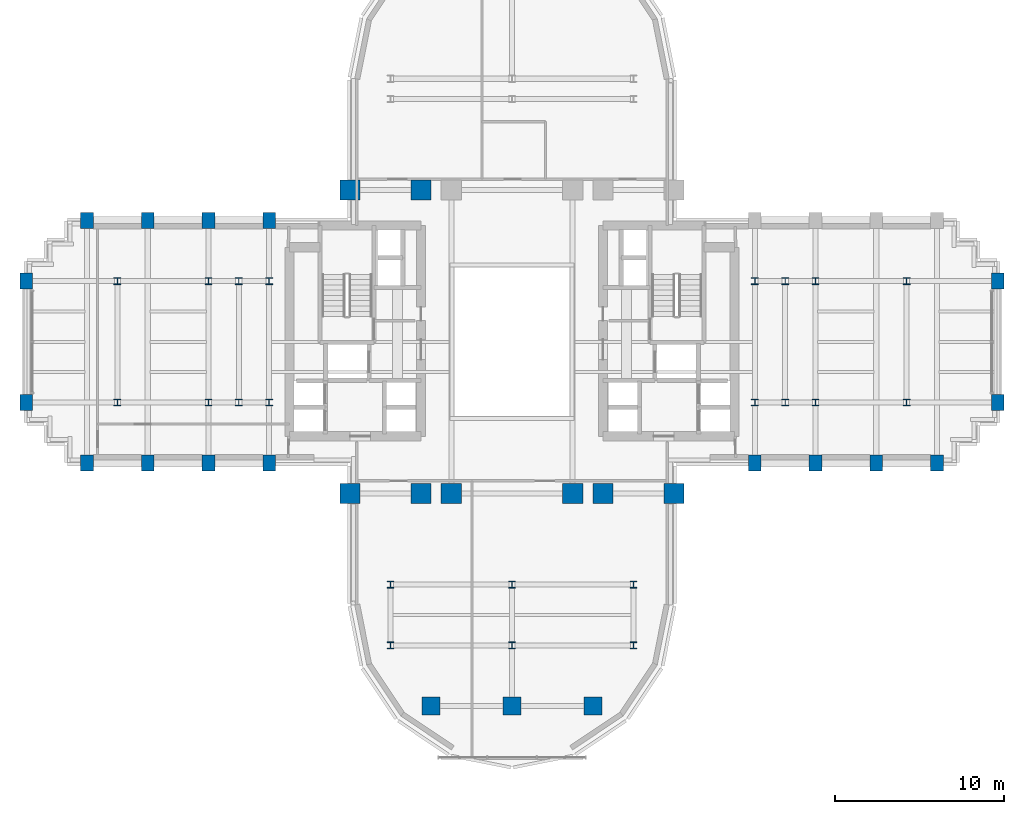
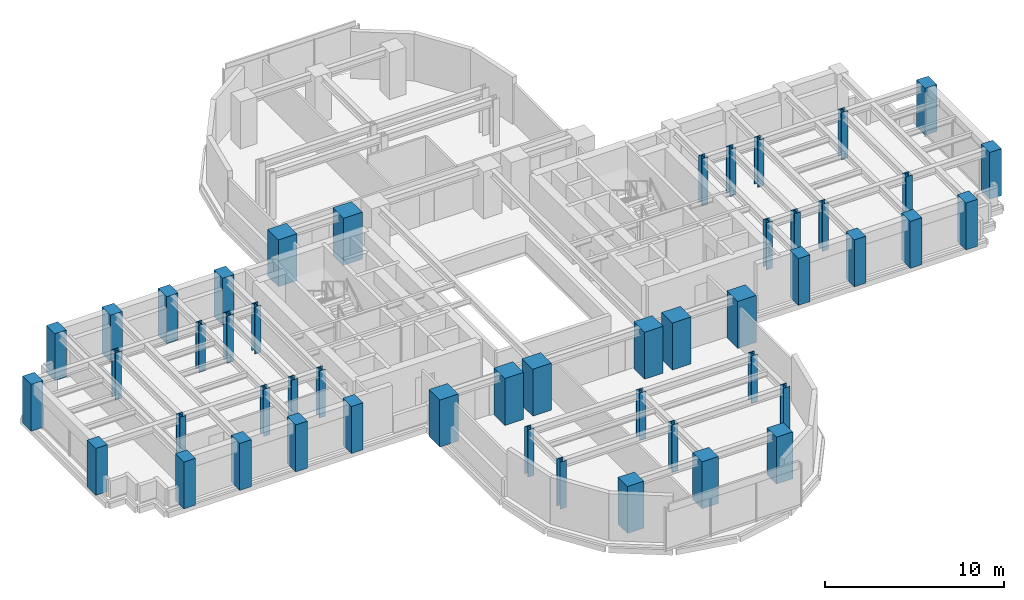
# One storey, part 1 of 16: 49 columns.
"""IFC4 building model written with IfcOpenShell, lengths in metres."""

from ifc_helpers import new_model, si_unit, direction, frame, origin, origin_2d, place, context, subcontext, project, spatial, rectangle, i_section, extrude, source, transform, mapped, material, material_profile, profile_set, type_object, element, save


model = new_model("IFC4")

# Units and contexts
model_context = context("Model", 3, precision=1e-05, world=origin(), true_north=direction((0.0, 1.0)))
body_context = subcontext(model_context, "Body", "Model", "MODEL_VIEW")
ifc_project = project(units=[si_unit("LENGTHUNIT", "METRE"), si_unit("AREAUNIT", "SQUARE_METRE"), si_unit("VOLUMEUNIT", "CUBIC_METRE"), si_unit("PLANEANGLEUNIT", "RADIAN"), si_unit("MASSUNIT", "GRAM", prefix="KILO")], contexts=[model_context])

# Site, building, storey
site_placement = place(None, origin())
site = spatial("IfcSite", under=ifc_project, at=site_placement, CompositionType="ELEMENT")
building_placement = place(site_placement, origin())
building = spatial("IfcBuilding", under=site, at=building_placement, Name="Keilestroom Media Tower", CompositionType="ELEMENT")
storey_placement = place(building_placement, frame((0.0, 0.0, 34.0)))
storey = spatial("IfcBuildingStorey", under=building, at=storey_placement, Name="L07", CompositionType="ELEMENT", Elevation=34.0)

# Columns
ifc_material_1 = material(Name="Precast concrete C40/50", Category="concrete")
ifc_material_profile_1 = material_profile(ifc_material_1, rectangle(XDim=0.75, YDim=0.949951171875, at=origin_2d()), Name="PC 950x750")
ifc_profile_set_1 = profile_set([ifc_material_profile_1], Name="Precast concrete C40/50")
column_type_1 = type_object("IfcColumnType", Name="Structural-Column-PC-950x750", PredefinedType="COLUMN", material=ifc_profile_set_1)
shared_shape_1 = source(origin(), body_context, "Body", "SweptSolid", [
    extrude(rectangle(XDim=0.75, YDim=0.949951171875, at=origin_2d()), origin(), (0.0, 0.0, 1.0), 3.199951171875),
])
for number, where, z_axis, x_axis, name in (
    (1, (-28.800048828125, -3.60009765625, 0.0), (0.0, 0.0, 1.0), (1.0, 0.0, 0.0), "L07 Column PC-1 (-28.8,-3.6)"),
    (2, (-28.800048828125, 3.60009765625, 0.0), (0.0, 0.0, 1.0), (1.0, 0.0, 0.0), "L07 Column PC-1 (-28.8,+3.6)"),
    (3, (-25.199951171875, -7.199951171875, 0.0), (0.0, 0.0, 1.0), (1.0, 0.0, 0.0), "L07 Column PC-1 (-25.2,-7.2)"),
    (4, (-25.199951171875, 7.199951171875, 0.0), (0.0, 0.0, 1.0), (1.0, 0.0, 0.0), "L07 Column PC-1 (-25.2,+7.2)"),
    (5, (-21.60009765625, -7.199951171875, 0.0), (0.0, 0.0, 1.0), (1.0, 0.0, 0.0), "L07 Column PC-1 (-21.6,-7.2)"),
    (6, (-21.60009765625, 7.199951171875, 0.0), (0.0, 0.0, 1.0), (1.0, 0.0, 0.0), "L07 Column PC-1 (-21.6,+7.2)"),
    (7, (-18.0, -7.199951171875, 0.0), (0.0, 0.0, 1.0), (1.0, 0.0, 0.0), "L07 Column PC-1 (-18.0,-7.2)"),
    (8, (-18.0, 7.199951171875, 0.0), (0.0, 0.0, 1.0), (1.0, 0.0, 0.0), "L07 Column PC-1 (-18.0,+7.2)"),
    (9, (-14.39990234375, -7.199951171875, 0.0), (0.0, 0.0, 1.0), (1.0, 0.0, 0.0), "L07 Column PC-1 (-14.4,-7.2)"),
    (10, (-14.39990234375, 7.199951171875, 0.0), (0.0, 0.0, 1.0), (1.0, 0.0, 0.0), "L07 Column PC-1 (-14.4,+7.2)"),
    (11, (14.39990234375, -7.199951171875, 0.0), (0.0, 0.0, 1.0), (1.0, 0.0, 0.0), "L07 Column PC-1 (+14.4,-7.2)"),
    (12, (18.0, -7.199951171875, 0.0), (0.0, 0.0, 1.0), (1.0, 0.0, 0.0), "L07 Column PC-1 (+18.0,-7.2)"),
    (13, (21.60009765625, -7.199951171875, 0.0), (0.0, 0.0, 1.0), (1.0, 0.0, 0.0), "L07 Column PC-1 (+21.6,-7.2)"),
    (14, (25.199951171875, -7.199951171875, 0.0), (0.0, 0.0, 1.0), (1.0, 0.0, 0.0), "L07 Column PC-1 (+25.2,-7.2)"),
    (15, (28.800048828125, -3.60009765625, 0.0), (0.0, 0.0, 1.0), (1.0, 0.0, 0.0), "L07 Column PC-1 (+28.8,-3.6)"),
    (16, (28.800048828125, 3.60009765625, 0.0), (0.0, 0.0, 1.0), (1.0, 0.0, 0.0), "L07 Column PC-1 (+28.8,+3.6)"),
):
    element("IfcColumn", number, at=place(storey_placement, frame(where, z_axis=z_axis, x_axis=x_axis)), inside=storey, type_object=column_type_1, Name=name, PredefinedType="COLUMN", context=body_context, shape_type="MappedRepresentation", body=[
        mapped(shared_shape_1, transform((0.0, 0.0, 0.0), x_axis=(1.0, 0.0, 0.0), y_axis=(0.0, 1.0, 0.0), z_axis=(0.0, 0.0, 1.0), scale=1.0)),
    ])
ifc_material_2 = material(Name="Steel S460", Category="steel")
ifc_material_profile_2 = material_profile(ifc_material_2, i_section(OverallWidth=0.404052734375, OverallDepth=0.406982421875, WebThickness=0.02197265625, FlangeThickness=0.035400390625, at=origin_2d()), Name="HD 400x347")
ifc_profile_set_2 = profile_set([ifc_material_profile_2], Name="Steel S460")
column_type_2 = type_object("IfcColumnType", Name="Structural-Column-HD-400x347", PredefinedType="COLUMN", material=ifc_profile_set_2)
shared_shape_2 = source(origin(), body_context, "Body", "SweptSolid", [
    extrude(i_section(OverallWidth=0.404052734375, OverallDepth=0.406982421875, WebThickness=0.02197265625, FlangeThickness=0.035400390625, at=origin_2d()), origin(), (0.0, 0.0, 1.0), 3.199951171875),
])
for number, where, z_axis, x_axis, name in (
    (17, (-23.39990234375, -3.60009765625, 0.0), (0.0, 0.0, 1.0), (1.0, 0.0, 0.0), "L07 Column SC-2 (-23.4,-3.6)"),
    (18, (-23.39990234375, 3.60009765625, 0.0), (0.0, 0.0, 1.0), (1.0, 0.0, 0.0), "L07 Column SC-2 (-23.4,+3.6)"),
    (19, (-18.0, -3.60009765625, 0.0), (0.0, 0.0, 1.0), (1.0, 0.0, 0.0), "L07 Column SC-2 (-18.0,-3.6)"),
    (20, (-18.0, 3.60009765625, 0.0), (0.0, 0.0, 1.0), (1.0, 0.0, 0.0), "L07 Column SC-2 (-18.0,+3.6)"),
    (21, (-16.199951171875, -3.60009765625, 0.0), (0.0, 0.0, 1.0), (1.0, 0.0, 0.0), "L07 Column SC-2 (-16.2,-3.6)"),
    (22, (-16.199951171875, 3.60009765625, 0.0), (0.0, 0.0, 1.0), (1.0, 0.0, 0.0), "L07 Column SC-2 (-16.2,+3.6)"),
    (23, (-14.39990234375, -3.60009765625, 0.0), (0.0, 0.0, 1.0), (1.0, 0.0, 0.0), "L07 Column SC-2 (-14.4,-3.6)"),
    (24, (-14.39990234375, 3.60009765625, 0.0), (0.0, 0.0, 1.0), (1.0, 0.0, 0.0), "L07 Column SC-2 (-14.4,+3.6)"),
    (25, (-7.199951171875, -18.0, 0.0), (0.0, 0.0, 1.0), (1.0, 0.0, 0.0), "L07 Column SC-2 (-7.2,-18.0)"),
    (26, (-7.199951171875, -14.39990234375, 0.0), (0.0, 0.0, 1.0), (1.0, 0.0, 0.0), "L07 Column SC-2 (-7.2,-14.4)"),
    (27, (0.0, -18.0, 0.0), (0.0, 0.0, 1.0), (1.0, 0.0, 0.0), "L07 Column SC-2 (+0.0,-18.0)"),
    (28, (0.0, -14.39990234375, 0.0), (0.0, 0.0, 1.0), (1.0, 0.0, 0.0), "L07 Column SC-2 (+0.0,-14.4)"),
    (29, (7.199951171875, -18.0, 0.0), (0.0, 0.0, 1.0), (1.0, 0.0, 0.0), "L07 Column SC-2 (+7.2,-18.0)"),
    (30, (7.199951171875, -14.39990234375, 0.0), (0.0, 0.0, 1.0), (1.0, 0.0, 0.0), "L07 Column SC-2 (+7.2,-14.4)"),
    (31, (14.39990234375, -3.60009765625, 0.0), (0.0, 0.0, 1.0), (1.0, 0.0, 0.0), "L07 Column SC-2 (+14.4,-3.6)"),
    (32, (14.39990234375, 3.60009765625, 0.0), (0.0, 0.0, 1.0), (1.0, 0.0, 0.0), "L07 Column SC-2 (+14.4,+3.6)"),
    (33, (16.199951171875, -3.60009765625, 0.0), (0.0, 0.0, 1.0), (1.0, 0.0, 0.0), "L07 Column SC-2 (+16.2,-3.6)"),
    (34, (16.199951171875, 3.60009765625, 0.0), (0.0, 0.0, 1.0), (1.0, 0.0, 0.0), "L07 Column SC-2 (+16.2,+3.6)"),
    (35, (18.0, -3.60009765625, 0.0), (0.0, 0.0, 1.0), (1.0, 0.0, 0.0), "L07 Column SC-2 (+18.0,-3.6)"),
    (36, (18.0, 3.60009765625, 0.0), (0.0, 0.0, 1.0), (1.0, 0.0, 0.0), "L07 Column SC-2 (+18.0,+3.6)"),
    (37, (23.39990234375, -3.60009765625, 0.0), (0.0, 0.0, 1.0), (1.0, 0.0, 0.0), "L07 Column SC-2 (+23.4,-3.6)"),
    (38, (23.39990234375, 3.60009765625, 0.0), (0.0, 0.0, 1.0), (1.0, 0.0, 0.0), "L07 Column SC-2 (+23.4,+3.6)"),
):
    element("IfcColumn", number, at=place(storey_placement, frame(where, z_axis=z_axis, x_axis=x_axis)), inside=storey, type_object=column_type_2, Name=name, PredefinedType="COLUMN", context=body_context, shape_type="MappedRepresentation", body=[
        mapped(shared_shape_2, transform((0.0, 0.0, 0.0), x_axis=(1.0, 0.0, 0.0), y_axis=(0.0, 1.0, 0.0), z_axis=(0.0, 0.0, 1.0), scale=1.0)),
    ])
ifc_material_3 = material(Name="Concrete C70/85", Category="concrete")
ifc_material_profile_3 = material_profile(ifc_material_3, rectangle(XDim=1.199951171875, YDim=1.199951171875, at=origin_2d()), Name="RC 1200x1200")
ifc_profile_set_3 = profile_set([ifc_material_profile_3], Name="Concrete C70/85")
column_type_3 = type_object("IfcColumnType", Name="Structural-Column-RC-1200x1200", PredefinedType="COLUMN", material=ifc_profile_set_3)
shared_shape_3 = source(origin(), body_context, "Body", "SweptSolid", [
    extrude(rectangle(XDim=1.199951171875, YDim=1.199951171875, at=origin_2d()), origin(), (0.0, 0.0, 1.0), 3.199951171875),
])
for number, where, z_axis, x_axis, name in (
    (39, (-9.60009765625, -9.0, 0.0), (0.0, 0.0, 1.0), (1.0, 0.0, 0.0), "L07 Column MC-2 (-9.6,-9.0)"),
    (40, (-9.60009765625, 9.0, 0.0), (0.0, 0.0, 1.0), (1.0, 0.0, 0.0), "L07 Column MC-2 (-9.6,+9.0)"),
    (41, (-5.39990234375, -9.0, 0.0), (0.0, 0.0, 1.0), (1.0, 0.0, 0.0), "L07 Column MC-2 (-5.4,-9.0)"),
    (42, (-5.39990234375, 9.0, 0.0), (0.0, 0.0, 1.0), (1.0, 0.0, 0.0), "L07 Column MC-2 (-5.4,+9.0)"),
    (43, (-3.60009765625, -9.0, 0.0), (0.0, 0.0, 1.0), (1.0, 0.0, 0.0), "L07 Column MC-2 (-3.6,-9.0)"),
    (44, (3.60009765625, -9.0, 0.0), (0.0, 0.0, 1.0), (1.0, 0.0, 0.0), "L07 Column MC-2 (+3.6,-9.0)"),
    (45, (5.39990234375, -9.0, 0.0), (0.0, 0.0, 1.0), (1.0, 0.0, 0.0), "L07 Column MC-2 (+5.4,-9.0)"),
    (46, (9.60009765625, -9.0, 0.0), (0.0, 0.0, 1.0), (1.0, 0.0, 0.0), "L07 Column MC-2 (+9.6,-9.0)"),
):
    element("IfcColumn", number, at=place(storey_placement, frame(where, z_axis=z_axis, x_axis=x_axis)), inside=storey, type_object=column_type_3, Name=name, PredefinedType="COLUMN", context=body_context, shape_type="MappedRepresentation", body=[
        mapped(shared_shape_3, transform((0.0, 0.0, 0.0), x_axis=(1.0, 0.0, 0.0), y_axis=(0.0, 1.0, 0.0), z_axis=(0.0, 0.0, 1.0), scale=1.0)),
    ])
ifc_material_4 = material(Name="Concrete C55/67", Category="concrete")
ifc_material_profile_4 = material_profile(ifc_material_4, rectangle(XDim=1.050048828125, YDim=1.050048828125, at=origin_2d()), Name="RC 1050x1050")
ifc_profile_set_4 = profile_set([ifc_material_profile_4], Name="Concrete C55/67")
column_type_4 = type_object("IfcColumnType", Name="Structural-Column-RC-1050x1050", PredefinedType="COLUMN", material=ifc_profile_set_4)
shared_shape_4 = source(origin(), body_context, "Body", "SweptSolid", [
    extrude(rectangle(XDim=1.050048828125, YDim=1.050048828125, at=origin_2d()), origin(), (0.0, 0.0, 1.0), 3.199951171875),
])
for number, where, z_axis, x_axis, name in (
    (47, (-4.800048828125, -21.60009765625, 0.0), (0.0, 0.0, 1.0), (1.0, 0.0, 0.0), "L07 Column MC-3 (-4.8,-21.6)"),
    (48, (0.0, -21.60009765625, 0.0), (0.0, 0.0, 1.0), (1.0, 0.0, 0.0), "L07 Column MC-3 (+0.0,-21.6)"),
    (49, (4.800048828125, -21.60009765625, 0.0), (0.0, 0.0, 1.0), (1.0, 0.0, 0.0), "L07 Column MC-3 (+4.8,-21.6)"),
):
    element("IfcColumn", number, at=place(storey_placement, frame(where, z_axis=z_axis, x_axis=x_axis)), inside=storey, type_object=column_type_4, Name=name, PredefinedType="COLUMN", context=body_context, shape_type="MappedRepresentation", body=[
        mapped(shared_shape_4, transform((0.0, 0.0, 0.0), x_axis=(1.0, 0.0, 0.0), y_axis=(0.0, 1.0, 0.0), z_axis=(0.0, 0.0, 1.0), scale=1.0)),
    ])

save(model, "model.ifc")
